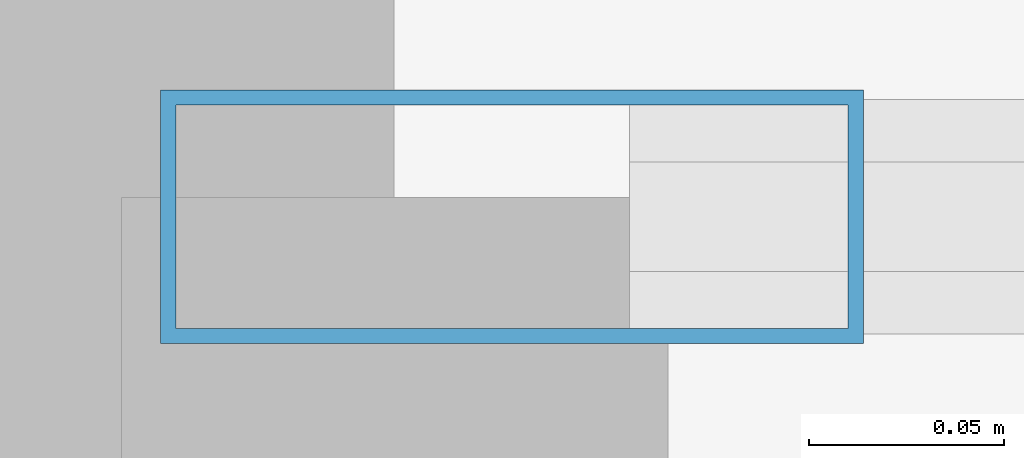
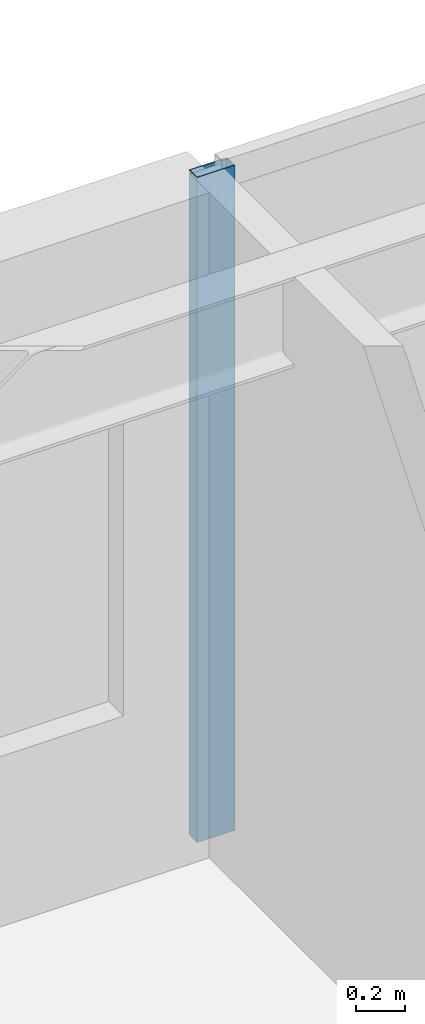
# One storey, part 12 of 24: 1 member, 1 element without a shape of its own.
"""IFC4 building model written with IfcOpenShell, lengths in metres."""

from ifc_helpers import new_model, si_unit, direction, frame, origin, origin_2d, place, context, subcontext, project, spatial, hollow_rectangle, extrude, source, transform, mapped, material, layer, layer_set, material_profile, profile_set, type_object, element, aggregate, save


model = new_model("IFC4")

# Units and contexts
model_context = context("Model", 3, precision=1e-05, world=origin(), true_north=direction((0.0, 1.0)))
body_context = subcontext(model_context, "Body", "Model", "MODEL_VIEW")
ifc_project = project(units=[si_unit("LENGTHUNIT", "METRE"), si_unit("AREAUNIT", "SQUARE_METRE"), si_unit("VOLUMEUNIT", "CUBIC_METRE"), si_unit("PLANEANGLEUNIT", "RADIAN"), si_unit("MASSUNIT", "GRAM", prefix="KILO")], contexts=[model_context])

# Site, building, storey
site_placement = place(None, origin())
site = spatial("IfcSite", under=ifc_project, at=site_placement, CompositionType="ELEMENT")
building_placement = place(site_placement, origin())
building = spatial("IfcBuilding", under=site, at=building_placement, Name="Khoralis Quay Care Tower", CompositionType="ELEMENT")
storey_placement = place(building_placement, frame((0.0, 0.0, 62.10009765625)))
storey = spatial("IfcBuildingStorey", under=building, at=storey_placement, Name="L16", CompositionType="ELEMENT", Elevation=62.10009765625)

# Curtain wall, member
ifc_material = material(Name="Pale anodised aluminium", Category="aluminium")
ifc_layer = layer(ifc_material, 0.179931640625)
ifc_layer_set = layer_set([ifc_layer], Name="Pale anodised aluminium")
curtain_wall_type = type_object("IfcCurtainWallType", Name="CW-SYS-Z1", PredefinedType="NOTDEFINED", material=ifc_layer_set)
curtain_wall_placement = place(storey_placement, origin())
curtain_wall = element("IfcCurtainWall", 1, at=curtain_wall_placement, inside=storey, type_object=curtain_wall_type, Name="L16 Unitised Curtain Wall CW-L16-P1-E10", PredefinedType="NOTDEFINED")
ifc_material_profile = material_profile(ifc_material, hollow_rectangle(XDim=0.06494140625, YDim=0.179931640625, WallThickness=0.00390625, at=origin_2d()), Name="Pale anodised aluminium")
ifc_profile_set = profile_set([ifc_material_profile], Name="Pale anodised aluminium")
member_type = type_object("IfcMemberType", Name="CW-MUL-180", PredefinedType="MULLION", material=ifc_profile_set)
shared_shape = source(origin(), body_context, "Body", "SweptSolid", [
    extrude(hollow_rectangle(XDim=0.06494140625, YDim=0.179931640625, WallThickness=0.00390625, at=origin_2d()), origin(), (0.0, 0.0, 1.0), 3.31982421875),
])
member_placement = place(storey_placement, frame((14.56005859375, 47.85009765625, 0.0), z_axis=(0.0, 0.0, 1.0), x_axis=(0.0, -1.0, 0.0)))
member = element("IfcMember", 2, at=member_placement, type_object=member_type, Name="CW1 mullion 7", PredefinedType="MULLION", context=body_context, shape_type="MappedRepresentation", body=[
    mapped(shared_shape, transform((0.0, 0.0, 0.0), scale=1.0)),
])
aggregate(curtain_wall, [member])

save(model, "model.ifc")
